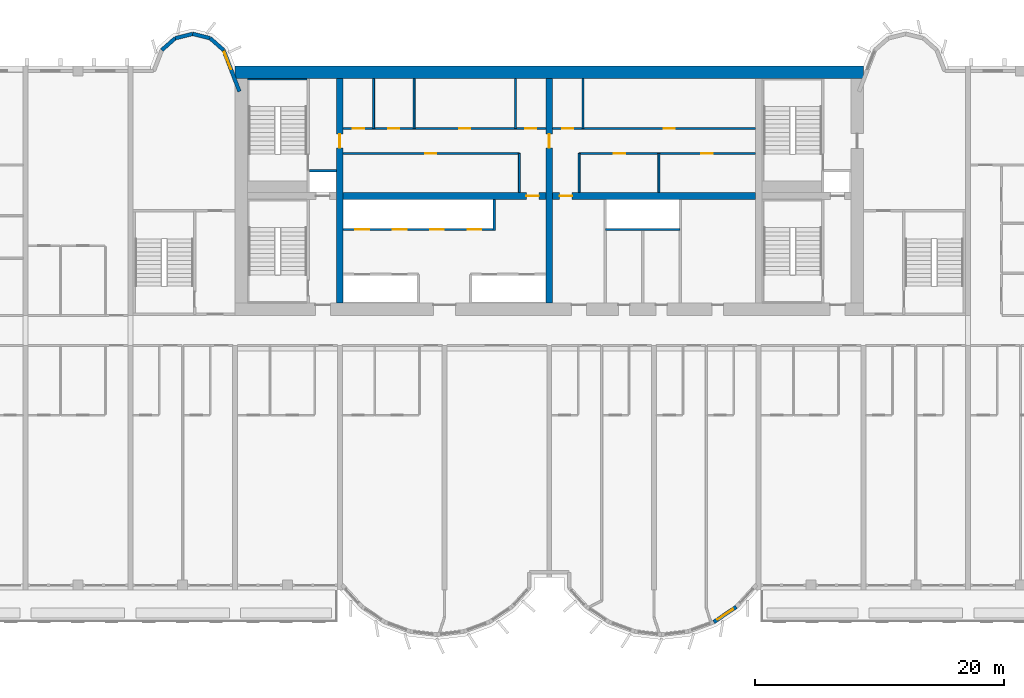
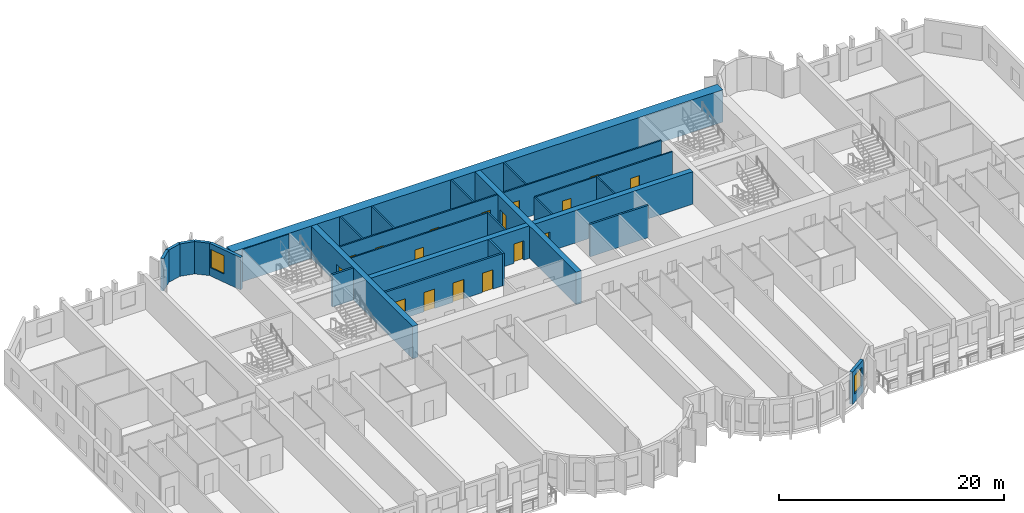
# One storey, part 7 of 14: 27 walls, 17 doors, 2 windows, 19 openings.
"""IFC4 building model written with IfcOpenShell, lengths in metres."""

from ifc_helpers import new_model, si_unit, direction, frame, frame_2d, origin, place, context, subcontext, project, spatial, rectangle, extrude, source, transform, mapped, material, layer, layer_set, type_object, element, fill, save


model = new_model("IFC4")

# Units and contexts
model_context = context("Model", 3, precision=1e-05, world=origin(), true_north=direction((0.0, 1.0)))
body_context = subcontext(model_context, "Body", "Model", "MODEL_VIEW")
ifc_project = project(units=[si_unit("LENGTHUNIT", "METRE"), si_unit("AREAUNIT", "SQUARE_METRE"), si_unit("VOLUMEUNIT", "CUBIC_METRE"), si_unit("PLANEANGLEUNIT", "RADIAN"), si_unit("MASSUNIT", "GRAM", prefix="KILO")], contexts=[model_context])

# Site, building, storey
site_placement = place(None, origin())
site = spatial("IfcSite", under=ifc_project, at=site_placement, CompositionType="ELEMENT")
building_placement = place(site_placement, origin())
building = spatial("IfcBuilding", under=site, at=building_placement, Name="Vanashikhar Sky Hotel", CompositionType="ELEMENT")
storey_placement = place(building_placement, frame((0.0, 0.0, 50.60009765625)))
storey = spatial("IfcBuildingStorey", under=building, at=storey_placement, Name="L11", CompositionType="ELEMENT", Elevation=50.60009765625)

# Wall
ifc_material_1 = material(Name="Concrete M80", Category="concrete")
ifc_layer_1 = layer(ifc_material_1, 1.0)
ifc_layer_set_1 = layer_set([ifc_layer_1], Name="RC core shell wall 1000 Concrete M80")
wall_type_1 = type_object("IfcWallType", Name="RC core shell wall 1000 Concrete M80", PredefinedType="SHEAR", material=ifc_layer_set_1)
shared_shape_1 = source(origin(), body_context, "Body", "SweptSolid", [
    extrude(rectangle(XDim=50.400146484375, YDim=1.0, at=frame_2d((25.2001953125, 0.0))), origin(), (0.0, 0.0, 1.0), 3.52001953125),
])
wall_1_placement = place(storey_placement, frame((25.199951171875, 41.5, 0.0), z_axis=(0.0, 0.0, 1.0), x_axis=(1.0, 0.0, 0.0)))
element("IfcWall", 1, at=wall_1_placement, inside=storey, type_object=wall_type_1, Name="KW-L11-KN", PredefinedType="SHEAR", context=body_context, shape_type="MappedRepresentation", body=[
    mapped(shared_shape_1, transform((0.0, 0.0, 0.0), scale=1.0)),
])

# Wall, opening, door
ifc_layer_2 = layer(ifc_material_1, 0.550048828125)
ifc_layer_set_2 = layer_set([ifc_layer_2], Name="RC core inner wall 550 Concrete M80")
wall_type_2 = type_object("IfcWallType", Name="RC core inner wall 550 Concrete M80", PredefinedType="SHEAR", material=ifc_layer_set_2)
shared_shape_2 = source(origin(), body_context, "Body", "SweptSolid", [
    extrude(rectangle(XDim=18.0, YDim=0.550048828125, at=frame_2d((9.0, 0.0))), origin(), (0.0, 0.0, 1.0), 3.52001953125),
])
wall_2_placement = place(storey_placement, frame((33.60009765625, 23.0, 0.0), z_axis=(0.0, 0.0, 1.0), x_axis=(0.0, 1.0, 0.0)))
wall_2 = element("IfcWall", 2, at=wall_2_placement, inside=storey, type_object=wall_type_2, Name="KW-L11-KX1", PredefinedType="SHEAR", context=body_context, shape_type="MappedRepresentation", body=[
    mapped(shared_shape_2, transform((0.0, 0.0, 0.0), scale=1.0)),
])
shared_shape_3 = source(origin(), body_context, "Body", "SweptSolid", [
    extrude(rectangle(XDim=1.10009765625, YDim=2.10009765625, at=frame_2d((0.550048828125, 1.050048828125))), frame((0.0, 0.28515625, 0.0), z_axis=(0.0, -1.0, 0.0), x_axis=(1.0, 0.0, 0.0)), (0.0, 0.0, 1.0), 0.570068359375),
])
opening_1_placement = place(wall_2_placement, frame((12.449951171875, 0.0, 0.0)))
opening_1 = element("IfcOpeningElement", 3, at=opening_1_placement, cuts=wall_2, Name="Opening DC-4-C", PredefinedType="OPENING", context=body_context, shape_type="MappedRepresentation", body=[
    mapped(shared_shape_3, transform((0.0, 0.0, 0.0), scale=1.0)),
])
ifc_material_2 = material(Name="Steel", Category="steel")
door_type_1 = type_object("IfcDoorType", Name="Service door 1100 FD60", OperationType="NOTDEFINED", PredefinedType="DOOR", material=ifc_material_2)
shared_shape_4 = source(origin(), body_context, "Body", "SweptSolid", [
    extrude(rectangle(XDim=1.10009765625, YDim=2.10009765625, at=frame_2d((0.550048828125, 1.050048828125))), frame((0.0, 0.02490234375, 0.0), z_axis=(0.0, -1.0, 0.0), x_axis=(1.0, 0.0, 0.0)), (0.0, 0.0, 1.0), 0.050048828125),
])
door_1_placement = place(opening_1_placement, origin())
door_1 = element("IfcDoor", 4, at=door_1_placement, inside=storey, type_object=door_type_1, Name="Service door 1100 FD60", OperationType="SINGLE_SWING_RIGHT", OverallHeight=2.10009765625, OverallWidth=1.10009765625, PredefinedType="DOOR", context=body_context, shape_type="MappedRepresentation", body=[
    mapped(shared_shape_4, transform((0.0, 0.0, 0.0), scale=1.0)),
])
fill(opening_1, door_1)

wall_3_placement = place(storey_placement, frame((50.39990234375, 23.0, 0.0), z_axis=(0.0, 0.0, 1.0), x_axis=(0.0, 1.0, 0.0)))
wall_3 = element("IfcWall", 5, at=wall_3_placement, inside=storey, type_object=wall_type_2, Name="KW-L11-KX2", PredefinedType="SHEAR", context=body_context, shape_type="MappedRepresentation", body=[
    mapped(shared_shape_2, transform((0.0, 0.0, 0.0), scale=1.0)),
])
opening_2_placement = place(wall_3_placement, frame((12.449951171875, 0.0, 0.0)))
opening_2 = element("IfcOpeningElement", 6, at=opening_2_placement, cuts=wall_3, Name="Opening DC-4-C", PredefinedType="OPENING", context=body_context, shape_type="MappedRepresentation", body=[
    mapped(shared_shape_3, transform((0.0, 0.0, 0.0), scale=1.0)),
])
door_2_placement = place(opening_2_placement, origin())
door_2 = element("IfcDoor", 7, at=door_2_placement, inside=storey, type_object=door_type_1, Name="Service door 1100 FD60", OperationType="SINGLE_SWING_LEFT", OverallHeight=2.10009765625, OverallWidth=1.10009765625, PredefinedType="DOOR", context=body_context, shape_type="MappedRepresentation", body=[
    mapped(shared_shape_4, transform((0.0, 0.0, 0.0), scale=1.0)),
])
fill(opening_2, door_2)

shared_shape_5 = source(origin(), body_context, "Body", "SweptSolid", [
    extrude(rectangle(XDim=16.25, YDim=0.550048828125, at=frame_2d((8.125, 0.0))), origin(), (0.0, 0.0, 1.0), 3.52001953125),
])
wall_4_placement = place(storey_placement, frame((33.875, 31.60009765625, 0.0), z_axis=(0.0, 0.0, 1.0), x_axis=(1.0, 0.0, 0.0)))
wall_4 = element("IfcWall", 8, at=wall_4_placement, inside=storey, type_object=wall_type_2, Name="KW-L11-KY2", PredefinedType="SHEAR", context=body_context, shape_type="MappedRepresentation", body=[
    mapped(shared_shape_5, transform((0.0, 0.0, 0.0), scale=1.0)),
])
shared_shape_6 = source(origin(), body_context, "Body", "SweptSolid", [
    extrude(rectangle(XDim=1.0, YDim=2.10009765625, at=frame_2d((0.5, 1.050048828125))), frame((0.0, 0.28515625, 0.0), z_axis=(0.0, -1.0, 0.0), x_axis=(1.0, 0.0, 0.0)), (0.0, 0.0, 1.0), 0.570068359375),
])
opening_3_placement = place(wall_4_placement, frame((14.68701171875, 0.0, 0.0)))
opening_3 = element("IfcOpeningElement", 9, at=opening_3_placement, cuts=wall_4, Name="Opening DC-4", PredefinedType="OPENING", context=body_context, shape_type="MappedRepresentation", body=[
    mapped(shared_shape_6, transform((0.0, 0.0, 0.0), scale=1.0)),
])
door_type_2 = type_object("IfcDoorType", Name="Service door 1000 FD60", OperationType="NOTDEFINED", PredefinedType="DOOR", material=ifc_material_2)
shared_shape_7 = source(origin(), body_context, "Body", "SweptSolid", [
    extrude(rectangle(XDim=1.0, YDim=2.10009765625, at=frame_2d((0.5, 1.050048828125))), frame((0.0, 0.02490234375, 0.0), z_axis=(0.0, -1.0, 0.0), x_axis=(1.0, 0.0, 0.0)), (0.0, 0.0, 1.0), 0.050048828125),
])
door_3_placement = place(opening_3_placement, origin())
door_3 = element("IfcDoor", 10, at=door_3_placement, inside=storey, type_object=door_type_2, Name="Service door 1000 FD60", OperationType="SINGLE_SWING_LEFT", OverallHeight=2.10009765625, OverallWidth=1.0, PredefinedType="DOOR", context=body_context, shape_type="MappedRepresentation", body=[
    mapped(shared_shape_7, transform((0.0, 0.0, 0.0), scale=1.0)),
])
fill(opening_3, door_3)

wall_5_placement = place(storey_placement, frame((50.675048828125, 31.60009765625, 0.0), z_axis=(0.0, 0.0, 1.0), x_axis=(1.0, 0.0, 0.0)))
wall_5 = element("IfcWall", 11, at=wall_5_placement, inside=storey, type_object=wall_type_2, Name="KW-L11-KY3", PredefinedType="SHEAR", context=body_context, shape_type="MappedRepresentation", body=[
    mapped(shared_shape_5, transform((0.0, 0.0, 0.0), scale=1.0)),
])
opening_4_placement = place(wall_5_placement, frame((0.56201171875, 0.0, 0.0)))
opening_4 = element("IfcOpeningElement", 12, at=opening_4_placement, cuts=wall_5, Name="Opening DC-4", PredefinedType="OPENING", context=body_context, shape_type="MappedRepresentation", body=[
    mapped(shared_shape_6, transform((0.0, 0.0, 0.0), scale=1.0)),
])
door_4_placement = place(opening_4_placement, origin())
door_4 = element("IfcDoor", 13, at=door_4_placement, inside=storey, type_object=door_type_2, Name="Service door 1000 FD60", OperationType="SINGLE_SWING_RIGHT", OverallHeight=2.10009765625, OverallWidth=1.0, PredefinedType="DOOR", context=body_context, shape_type="MappedRepresentation", body=[
    mapped(shared_shape_7, transform((0.0, 0.0, 0.0), scale=1.0)),
])
fill(opening_4, door_4)

# Wall, opening, window
ifc_material_3 = material(Name="Concrete M50", Category="concrete")
ifc_layer_3 = layer(ifc_material_3, 0.300048828125)
ifc_layer_set_3 = layer_set([ifc_layer_3], Name="Lobe wall 300")
wall_type_3 = type_object("IfcWallType", Name="Lobe wall 300", PredefinedType="SOLIDWALL", material=ifc_layer_set_3)
shared_shape_8 = source(origin(), body_context, "Body", "SweptSolid", [
    extrude(rectangle(XDim=2.17578125, YDim=0.300048828125, at=frame_2d((1.087890625, 0.0))), origin(), (0.0, 0.0, 1.0), 3.52001953125),
])
wall_6_placement = place(storey_placement, frame((63.59912109375, -2.58349609375, 0.0), z_axis=(0.0, 0.0, 1.0), x_axis=(0.829625727223, 0.558319937607, 0.0)))
wall_6 = element("IfcWall", 14, at=wall_6_placement, inside=storey, type_object=wall_type_3, Name="Lobe wall", PredefinedType="SOLIDWALL", context=body_context, shape_type="MappedRepresentation", body=[
    mapped(shared_shape_8, transform((0.0, 0.0, 0.0), scale=1.0)),
])
shared_shape_9 = source(origin(), body_context, "Body", "SweptSolid", [
    extrude(rectangle(XDim=1.5, YDim=2.0, at=frame_2d((0.75, 1.0))), frame((0.0, 0.16015625, 0.0), z_axis=(0.0, -1.0, 0.0), x_axis=(1.0, 0.0, 0.0)), (0.0, 0.0, 1.0), 0.320068359375),
])
opening_5_placement = place(wall_6_placement, frame((0.337890625, 0.0, 0.89990234375)))
opening_5 = element("IfcOpeningElement", 15, at=opening_5_placement, cuts=wall_6, Name="Opening WN-2", PredefinedType="OPENING", context=body_context, shape_type="MappedRepresentation", body=[
    mapped(shared_shape_9, transform((0.0, 0.0, 0.0), scale=1.0)),
])
ifc_material_4 = material(Name="Glass", Category="glass")
window_type = type_object("IfcWindowType", Name="Lobe window 1500 x 2000", PartitioningType="SINGLE_PANEL", PredefinedType="WINDOW", material=ifc_material_4)
shared_shape_10 = source(origin(), body_context, "Body", "SweptSolid", [
    extrude(rectangle(XDim=1.5, YDim=2.0, at=frame_2d((0.75, 1.0))), frame((0.0, 0.030029296875, 0.0), z_axis=(0.0, -1.0, 0.0), x_axis=(1.0, 0.0, 0.0)), (0.0, 0.0, 1.0), 0.06005859375),
])
window_1_placement = place(opening_5_placement, origin())
window_1 = element("IfcWindow", 16, at=window_1_placement, inside=storey, type_object=window_type, Name="Window WN-2", OverallHeight=2.0, OverallWidth=1.5, PartitioningType="SINGLE_PANEL", PredefinedType="WINDOW", context=body_context, shape_type="MappedRepresentation", body=[
    mapped(shared_shape_10, transform((0.0, 0.0, 0.0), scale=1.0)),
])
fill(opening_5, window_1)

shared_shape_11 = source(origin(), body_context, "Body", "SweptSolid", [
    extrude(rectangle(XDim=3.55908203125, YDim=0.300048828125, at=frame_2d((1.779541015625, 0.0))), origin(), (0.0, 0.0, 1.0), 3.52001953125),
])
wall_7_placement = place(storey_placement, frame((25.550048828125, 39.968505859375, 0.0), z_axis=(0.0, 0.0, 1.0), x_axis=(-0.35779745313, 0.933799219604, 0.0)))
wall_7 = element("IfcWall", 17, at=wall_7_placement, inside=storey, type_object=wall_type_3, Name="Lobe wall", PredefinedType="SOLIDWALL", context=body_context, shape_type="MappedRepresentation", body=[
    mapped(shared_shape_11, transform((0.0, 0.0, 0.0), scale=1.0)),
])
opening_6_placement = place(wall_7_placement, frame((1.9033203125, 0.0, 0.89990234375)))
opening_6 = element("IfcOpeningElement", 18, at=opening_6_placement, cuts=wall_7, Name="Opening WN-2", PredefinedType="OPENING", context=body_context, shape_type="MappedRepresentation", body=[
    mapped(shared_shape_9, transform((0.0, 0.0, 0.0), scale=1.0)),
])
window_2_placement = place(opening_6_placement, origin())
window_2 = element("IfcWindow", 19, at=window_2_placement, inside=storey, type_object=window_type, Name="Window WN-2", OverallHeight=2.0, OverallWidth=1.5, PartitioningType="SINGLE_PANEL", PredefinedType="WINDOW", context=body_context, shape_type="MappedRepresentation", body=[
    mapped(shared_shape_10, transform((0.0, 0.0, 0.0), scale=1.0)),
])
fill(opening_6, window_2)

# Walls
shared_shape_12 = source(origin(), body_context, "Body", "SweptSolid", [
    extrude(rectangle(XDim=1.440185546875, YDim=0.300048828125, at=frame_2d((0.72021484375, 0.0))), origin(), (0.0, 0.0, 1.0), 3.52001953125),
])
wall_8_placement = place(storey_placement, frame((24.276611328125, 43.2919921875, 0.0), z_axis=(0.0, 0.0, 1.0), x_axis=(-0.749649827867, 0.661834673902, 0.0)))
element("IfcWall", 20, at=wall_8_placement, inside=storey, type_object=wall_type_3, Name="Lobe wall", PredefinedType="SOLIDWALL", context=body_context, shape_type="MappedRepresentation", body=[
    mapped(shared_shape_12, transform((0.0, 0.0, 0.0), scale=1.0)),
])
shared_shape_13 = source(origin(), body_context, "Body", "SweptSolid", [
    extrude(rectangle(XDim=1.4384765625, YDim=0.300048828125, at=frame_2d((0.71923828125, 0.0))), origin(), (0.0, 0.0, 1.0), 3.52001953125),
])
wall_9_placement = place(storey_placement, frame((23.197021484375, 44.2451171875, 0.0), z_axis=(0.0, 0.0, 1.0), x_axis=(-0.971152283879, 0.238460146601, 0.0)))
element("IfcWall", 21, at=wall_9_placement, inside=storey, type_object=wall_type_3, Name="Lobe wall", PredefinedType="SOLIDWALL", context=body_context, shape_type="MappedRepresentation", body=[
    mapped(shared_shape_13, transform((0.0, 0.0, 0.0), scale=1.0)),
])
shared_shape_14 = source(origin(), body_context, "Body", "SweptSolid", [
    extrude(rectangle(XDim=1.438720703125, YDim=0.300048828125, at=frame_2d((0.71923828125, 0.0))), origin(), (0.0, 0.0, 1.0), 3.52001953125),
])
wall_10_placement = place(storey_placement, frame((21.800048828125, 44.588134765625, 0.0), z_axis=(0.0, 0.0, 1.0), x_axis=(-0.971161932466, -0.238420848351, 0.0)))
element("IfcWall", 22, at=wall_10_placement, inside=storey, type_object=wall_type_3, Name="Lobe wall", PredefinedType="SOLIDWALL", context=body_context, shape_type="MappedRepresentation", body=[
    mapped(shared_shape_14, transform((0.0, 0.0, 0.0), scale=1.0)),
])
shared_shape_15 = source(origin(), body_context, "Body", "SweptSolid", [
    extrude(rectangle(XDim=1.43994140625, YDim=0.300048828125, at=frame_2d((0.719970703125, 0.0))), origin(), (0.0, 0.0, 1.0), 3.52001953125),
])
wall_11_placement = place(storey_placement, frame((20.40283203125, 44.2451171875, 0.0), z_axis=(0.0, 0.0, 1.0), x_axis=(-0.74957555648, -0.661918790432, 0.0)))
element("IfcWall", 23, at=wall_11_placement, inside=storey, type_object=wall_type_3, Name="Lobe wall", PredefinedType="SOLIDWALL", context=body_context, shape_type="MappedRepresentation", body=[
    mapped(shared_shape_15, transform((0.0, 0.0, 0.0), scale=1.0)),
])
ifc_material_5 = material(Name="Concrete M40", Category="concrete")
ifc_layer_4 = layer(ifc_material_5, 0.199951171875)
ifc_layer_set_4 = layer_set([ifc_layer_4], Name="Shaft wall 200")
wall_type_4 = type_object("IfcWallType", Name="Shaft wall 200", PredefinedType="SOLIDWALL", material=ifc_layer_set_4)
shared_shape_16 = source(origin(), body_context, "Body", "SweptSolid", [
    extrude(rectangle(XDim=6.0, YDim=0.199951171875, at=frame_2d((3.0, 0.0))), origin(), (0.0, 0.0, 1.0), 3.52001953125),
])
wall_12_placement = place(storey_placement, frame((60.89990234375, 28.89990234375, 0.0), z_axis=(0.0, 0.0, 1.0), x_axis=(-1.0, 0.0, 0.0)))
element("IfcWall", 24, at=wall_12_placement, inside=storey, type_object=wall_type_4, Name="Shaft wall 200", PredefinedType="SOLIDWALL", context=body_context, shape_type="MappedRepresentation", body=[
    mapped(shared_shape_16, transform((0.0, 0.0, 0.0), scale=1.0)),
])
ifc_layer_5 = layer(ifc_material_3, 0.10009765625)
ifc_layer_set_5 = layer_set([ifc_layer_5], Name="Stair infill wall 100")
wall_type_5 = type_object("IfcWallType", Name="Stair infill wall 100", PredefinedType="SOLIDWALL", material=ifc_layer_set_5)
shared_shape_17 = source(origin(), body_context, "Body", "SweptSolid", [
    extrude(rectangle(XDim=4.75, YDim=0.10009765625, at=frame_2d((2.375, 0.0))), origin(), (0.0, 0.0, 1.0), 3.52001953125),
])
wall_13_placement = place(storey_placement, frame((26.199951171875, 40.949951171875, 0.0), z_axis=(0.0, 0.0, 1.0), x_axis=(1.0, 0.0, 0.0)))
element("IfcWall", 25, at=wall_13_placement, inside=storey, type_object=wall_type_5, Name="Stair infill wall 100", PredefinedType="SOLIDWALL", context=body_context, shape_type="MappedRepresentation", body=[
    mapped(shared_shape_17, transform((0.0, 0.0, 0.0), scale=1.0)),
])

# Wall, openings, doors
shared_shape_18 = source(origin(), body_context, "Body", "SweptSolid", [
    extrude(rectangle(XDim=12.02490234375, YDim=0.199951171875, at=frame_2d((6.012451171875, 0.0))), origin(), (0.0, 0.0, 1.0), 3.52001953125),
])
wall_14_placement = place(storey_placement, frame((33.875, 28.89990234375, 0.0), z_axis=(0.0, 0.0, 1.0), x_axis=(1.0, 0.0, 0.0)))
wall_14 = element("IfcWall", 26, at=wall_14_placement, inside=storey, type_object=wall_type_4, Name="Shaft wall 200", PredefinedType="SOLIDWALL", context=body_context, shape_type="MappedRepresentation", body=[
    mapped(shared_shape_18, transform((0.0, 0.0, 0.0), scale=1.0)),
])
shared_shape_19 = source(origin(), body_context, "Body", "SweptSolid", [
    extrude(rectangle(XDim=1.10009765625, YDim=2.10009765625, at=frame_2d((0.550048828125, 1.050048828125))), frame((0.0, 0.10986328125, 0.0), z_axis=(0.0, -1.0, 0.0), x_axis=(1.0, 0.0, 0.0)), (0.0, 0.0, 1.0), 0.219970703125),
])
opening_7_placement = place(wall_14_placement, frame((0.97509765625, 0.0, 0.0)))
opening_7 = element("IfcOpeningElement", 27, at=opening_7_placement, cuts=wall_14, Name="Opening LD", PredefinedType="OPENING", context=body_context, shape_type="MappedRepresentation", body=[
    mapped(shared_shape_19, transform((0.0, 0.0, 0.0), scale=1.0)),
])
opening_8_placement = place(wall_14_placement, frame((3.97509765625, 0.0, 0.0)))
opening_8 = element("IfcOpeningElement", 28, at=opening_8_placement, cuts=wall_14, Name="Opening LD", PredefinedType="OPENING", context=body_context, shape_type="MappedRepresentation", body=[
    mapped(shared_shape_19, transform((0.0, 0.0, 0.0), scale=1.0)),
])
opening_9_placement = place(wall_14_placement, frame((6.97509765625, 0.0, 0.0)))
opening_9 = element("IfcOpeningElement", 29, at=opening_9_placement, cuts=wall_14, Name="Opening LD", PredefinedType="OPENING", context=body_context, shape_type="MappedRepresentation", body=[
    mapped(shared_shape_19, transform((0.0, 0.0, 0.0), scale=1.0)),
])
opening_10_placement = place(wall_14_placement, frame((9.97509765625, 0.0, 0.0)))
opening_10 = element("IfcOpeningElement", 30, at=opening_10_placement, cuts=wall_14, Name="Opening LD", PredefinedType="OPENING", context=body_context, shape_type="MappedRepresentation", body=[
    mapped(shared_shape_19, transform((0.0, 0.0, 0.0), scale=1.0)),
])
ifc_material_6 = material(Name="Stainless steel", Category="steel")
door_type_3 = type_object("IfcDoorType", Name="Lift landing door 1100", OperationType="NOTDEFINED", PredefinedType="DOOR", material=ifc_material_6)
door_5_placement = place(opening_7_placement, origin())
door_5 = element("IfcDoor", 31, at=door_5_placement, inside=storey, type_object=door_type_3, Name="Lift landing door 1100", OperationType="SLIDING_TO_LEFT", OverallHeight=2.10009765625, OverallWidth=1.10009765625, PredefinedType="DOOR", context=body_context, shape_type="MappedRepresentation", body=[
    mapped(shared_shape_4, transform((0.0, 0.0, 0.0), scale=1.0)),
])
fill(opening_7, door_5)
door_6_placement = place(opening_8_placement, origin())
door_6 = element("IfcDoor", 32, at=door_6_placement, inside=storey, type_object=door_type_3, Name="Lift landing door 1100", OperationType="SLIDING_TO_RIGHT", OverallHeight=2.10009765625, OverallWidth=1.10009765625, PredefinedType="DOOR", context=body_context, shape_type="MappedRepresentation", body=[
    mapped(shared_shape_4, transform((0.0, 0.0, 0.0), scale=1.0)),
])
fill(opening_8, door_6)
door_7_placement = place(opening_9_placement, origin())
door_7 = element("IfcDoor", 33, at=door_7_placement, inside=storey, type_object=door_type_3, Name="Lift landing door 1100", OperationType="SLIDING_TO_LEFT", OverallHeight=2.10009765625, OverallWidth=1.10009765625, PredefinedType="DOOR", context=body_context, shape_type="MappedRepresentation", body=[
    mapped(shared_shape_4, transform((0.0, 0.0, 0.0), scale=1.0)),
])
fill(opening_9, door_7)
door_8_placement = place(opening_10_placement, origin())
door_8 = element("IfcDoor", 34, at=door_8_placement, inside=storey, type_object=door_type_3, Name="Lift landing door 1100", OperationType="SLIDING_TO_RIGHT", OverallHeight=2.10009765625, OverallWidth=1.10009765625, PredefinedType="DOOR", context=body_context, shape_type="MappedRepresentation", body=[
    mapped(shared_shape_4, transform((0.0, 0.0, 0.0), scale=1.0)),
])
fill(opening_10, door_8)

# Walls
shared_shape_20 = source(origin(), body_context, "Body", "SweptSolid", [
    extrude(rectangle(XDim=2.52490234375, YDim=0.199951171875, at=frame_2d((1.262451171875, 0.0))), origin(), (0.0, 0.0, 1.0), 3.52001953125),
])
wall_15_placement = place(storey_placement, frame((46.0, 28.800048828125, 0.0), z_axis=(0.0, 0.0, 1.0), x_axis=(0.0, 1.0, 0.0)))
element("IfcWall", 35, at=wall_15_placement, inside=storey, type_object=wall_type_4, Name="Shaft wall 200", PredefinedType="SOLIDWALL", context=body_context, shape_type="MappedRepresentation", body=[
    mapped(shared_shape_20, transform((0.0, 0.0, 0.0), scale=1.0)),
])
ifc_material_7 = material(Name="Gypsum board partition")
ifc_layer_6 = layer(ifc_material_7, 0.14990234375)
ifc_layer_set_6 = layer_set([ifc_layer_6], Name="Service partition 150")
wall_type_6 = type_object("IfcWallType", Name="Service partition 150", PredefinedType="PARTITIONING", material=ifc_layer_set_6)
shared_shape_21 = source(origin(), body_context, "Body", "SweptSolid", [
    extrude(rectangle(XDim=3.125, YDim=0.14990234375, at=frame_2d((1.5625, 0.0))), origin(), (0.0, 0.0, 1.0), 3.52001953125),
])
for number, where, z_axis, x_axis, name in (
    (36, (48.0, 31.875, 0.0), (0.0, 0.0, 1.0), (0.0, 1.0, 0.0), "Service partition 150"),
    (37, (52.800048828125, 31.875, 0.0), (0.0, 0.0, 1.0), (0.0, 1.0, 0.0), "Service partition 150"),
    (38, (59.197021484375, 31.875, 0.0), (0.0, 0.0, 1.0), (0.0, 1.0, 0.0), "Service partition 150"),
):
    element("IfcWall", number, at=place(storey_placement, frame(where, z_axis=z_axis, x_axis=x_axis)), inside=storey, type_object=wall_type_6, Name=name, PredefinedType="PARTITIONING", context=body_context, shape_type="MappedRepresentation", body=[
        mapped(shared_shape_21, transform((0.0, 0.0, 0.0), scale=1.0)),
    ])

# Wall, opening, door
shared_shape_22 = source(origin(), body_context, "Body", "SweptSolid", [
    extrude(rectangle(XDim=14.125, YDim=0.14990234375, at=frame_2d((7.0625, 0.0))), origin(), (0.0, 0.0, 1.0), 3.52001953125),
])
wall_16_placement = place(storey_placement, frame((33.875, 35.0, 0.0), z_axis=(0.0, 0.0, 1.0), x_axis=(1.0, 0.0, 0.0)))
wall_16 = element("IfcWall", 39, at=wall_16_placement, inside=storey, type_object=wall_type_6, Name="Service partition 150", PredefinedType="PARTITIONING", context=body_context, shape_type="MappedRepresentation", body=[
    mapped(shared_shape_22, transform((0.0, 0.0, 0.0), scale=1.0)),
])
shared_shape_23 = source(origin(), body_context, "Body", "SweptSolid", [
    extrude(rectangle(XDim=0.89990234375, YDim=2.10009765625, at=frame_2d((0.449951171875, 1.050048828125))), frame((0.0, 0.0849609375, 0.0), z_axis=(0.0, -1.0, 0.0), x_axis=(1.0, 0.0, 0.0)), (0.0, 0.0, 1.0), 0.169921875),
])
opening_11_placement = place(wall_16_placement, frame((6.574951171875, 0.0, 0.0)))
opening_11 = element("IfcOpeningElement", 40, at=opening_11_placement, cuts=wall_16, Name="Opening DC-4-A", PredefinedType="OPENING", context=body_context, shape_type="MappedRepresentation", body=[
    mapped(shared_shape_23, transform((0.0, 0.0, 0.0), scale=1.0)),
])
door_type_4 = type_object("IfcDoorType", Name="Service door 900 FD60", OperationType="NOTDEFINED", PredefinedType="DOOR", material=ifc_material_2)
shared_shape_24 = source(origin(), body_context, "Body", "SweptSolid", [
    extrude(rectangle(XDim=0.89990234375, YDim=2.10009765625, at=frame_2d((0.449951171875, 1.050048828125))), frame((0.0, 0.02490234375, 0.0), z_axis=(0.0, -1.0, 0.0), x_axis=(1.0, 0.0, 0.0)), (0.0, 0.0, 1.0), 0.050048828125),
])
door_9_placement = place(opening_11_placement, origin())
door_9 = element("IfcDoor", 41, at=door_9_placement, inside=storey, type_object=door_type_4, Name="Service door 900 FD60", OperationType="SINGLE_SWING_RIGHT", OverallHeight=2.10009765625, OverallWidth=0.89990234375, PredefinedType="DOOR", context=body_context, shape_type="MappedRepresentation", body=[
    mapped(shared_shape_24, transform((0.0, 0.0, 0.0), scale=1.0)),
])
fill(opening_11, door_9)

# Wall, openings, doors
wall_17_placement = place(storey_placement, frame((66.925048828125, 35.0, 0.0), z_axis=(0.0, 0.0, 1.0), x_axis=(-1.0, 0.0, 0.0)))
wall_17 = element("IfcWall", 42, at=wall_17_placement, inside=storey, type_object=wall_type_6, Name="Service partition 150", PredefinedType="PARTITIONING", context=body_context, shape_type="MappedRepresentation", body=[
    mapped(shared_shape_22, transform((0.0, 0.0, 0.0), scale=1.0)),
])
opening_12_placement = place(wall_17_placement, frame((3.4140625, 0.0, 0.0)))
opening_12 = element("IfcOpeningElement", 43, at=opening_12_placement, cuts=wall_17, Name="Opening DC-4-A", PredefinedType="OPENING", context=body_context, shape_type="MappedRepresentation", body=[
    mapped(shared_shape_23, transform((0.0, 0.0, 0.0), scale=1.0)),
])
opening_13_placement = place(wall_17_placement, frame((10.43896484375, 0.0, 0.0)))
opening_13 = element("IfcOpeningElement", 44, at=opening_13_placement, cuts=wall_17, Name="Opening DC-4-A", PredefinedType="OPENING", context=body_context, shape_type="MappedRepresentation", body=[
    mapped(shared_shape_23, transform((0.0, 0.0, 0.0), scale=1.0)),
])
door_10_placement = place(opening_12_placement, origin())
door_10 = element("IfcDoor", 45, at=door_10_placement, inside=storey, type_object=door_type_4, Name="Service door 900 FD60", OperationType="SINGLE_SWING_RIGHT", OverallHeight=2.10009765625, OverallWidth=0.89990234375, PredefinedType="DOOR", context=body_context, shape_type="MappedRepresentation", body=[
    mapped(shared_shape_24, transform((0.0, 0.0, 0.0), scale=1.0)),
])
fill(opening_12, door_10)
door_11_placement = place(opening_13_placement, origin())
door_11 = element("IfcDoor", 46, at=door_11_placement, inside=storey, type_object=door_type_4, Name="Service door 900 FD60", OperationType="SINGLE_SWING_RIGHT", OverallHeight=2.10009765625, OverallWidth=0.89990234375, PredefinedType="DOOR", context=body_context, shape_type="MappedRepresentation", body=[
    mapped(shared_shape_24, transform((0.0, 0.0, 0.0), scale=1.0)),
])
fill(opening_13, door_11)

shared_shape_25 = source(origin(), body_context, "Body", "SweptSolid", [
    extrude(rectangle(XDim=16.25, YDim=0.14990234375, at=frame_2d((8.125, 0.0))), origin(), (0.0, 0.0, 1.0), 3.52001953125),
])
wall_18_placement = place(storey_placement, frame((33.875, 37.0, 0.0), z_axis=(0.0, 0.0, 1.0), x_axis=(1.0, 0.0, 0.0)))
wall_18 = element("IfcWall", 47, at=wall_18_placement, inside=storey, type_object=wall_type_6, Name="Service partition 150", PredefinedType="PARTITIONING", context=body_context, shape_type="MappedRepresentation", body=[
    mapped(shared_shape_25, transform((0.0, 0.0, 0.0), scale=1.0)),
])
opening_14_placement = place(wall_18_placement, frame((0.76904296875, 0.0, 0.0)))
opening_14 = element("IfcOpeningElement", 48, at=opening_14_placement, cuts=wall_18, Name="Opening DC-4-A", PredefinedType="OPENING", context=body_context, shape_type="MappedRepresentation", body=[
    mapped(shared_shape_23, transform((0.0, 0.0, 0.0), scale=1.0)),
])
opening_15_placement = place(wall_18_placement, frame((3.613037109375, 0.0, 0.0)))
opening_15 = element("IfcOpeningElement", 49, at=opening_15_placement, cuts=wall_18, Name="Opening DC-4-A", PredefinedType="OPENING", context=body_context, shape_type="MappedRepresentation", body=[
    mapped(shared_shape_23, transform((0.0, 0.0, 0.0), scale=1.0)),
])
opening_16_placement = place(wall_18_placement, frame((9.300048828125, 0.0, 0.0)))
opening_16 = element("IfcOpeningElement", 50, at=opening_16_placement, cuts=wall_18, Name="Opening DC-4-A", PredefinedType="OPENING", context=body_context, shape_type="MappedRepresentation", body=[
    mapped(shared_shape_23, transform((0.0, 0.0, 0.0), scale=1.0)),
])
opening_17_placement = place(wall_18_placement, frame((14.5810546875, 0.0, 0.0)))
opening_17 = element("IfcOpeningElement", 51, at=opening_17_placement, cuts=wall_18, Name="Opening DC-4-A", PredefinedType="OPENING", context=body_context, shape_type="MappedRepresentation", body=[
    mapped(shared_shape_23, transform((0.0, 0.0, 0.0), scale=1.0)),
])
door_12_placement = place(opening_14_placement, origin())
door_12 = element("IfcDoor", 52, at=door_12_placement, inside=storey, type_object=door_type_4, Name="Service door 900 FD60", OperationType="SINGLE_SWING_LEFT", OverallHeight=2.10009765625, OverallWidth=0.89990234375, PredefinedType="DOOR", context=body_context, shape_type="MappedRepresentation", body=[
    mapped(shared_shape_24, transform((0.0, 0.0, 0.0), scale=1.0)),
])
fill(opening_14, door_12)
door_13_placement = place(opening_15_placement, origin())
door_13 = element("IfcDoor", 53, at=door_13_placement, inside=storey, type_object=door_type_4, Name="Service door 900 FD60", OperationType="SINGLE_SWING_RIGHT", OverallHeight=2.10009765625, OverallWidth=0.89990234375, PredefinedType="DOOR", context=body_context, shape_type="MappedRepresentation", body=[
    mapped(shared_shape_24, transform((0.0, 0.0, 0.0), scale=1.0)),
])
fill(opening_15, door_13)
door_14_placement = place(opening_16_placement, origin())
door_14 = element("IfcDoor", 54, at=door_14_placement, inside=storey, type_object=door_type_4, Name="Service door 900 FD60", OperationType="SINGLE_SWING_RIGHT", OverallHeight=2.10009765625, OverallWidth=0.89990234375, PredefinedType="DOOR", context=body_context, shape_type="MappedRepresentation", body=[
    mapped(shared_shape_24, transform((0.0, 0.0, 0.0), scale=1.0)),
])
fill(opening_16, door_14)
door_15_placement = place(opening_17_placement, origin())
door_15 = element("IfcDoor", 55, at=door_15_placement, inside=storey, type_object=door_type_4, Name="Service door 900 FD60", OperationType="SINGLE_SWING_RIGHT", OverallHeight=2.10009765625, OverallWidth=0.89990234375, PredefinedType="DOOR", context=body_context, shape_type="MappedRepresentation", body=[
    mapped(shared_shape_24, transform((0.0, 0.0, 0.0), scale=1.0)),
])
fill(opening_17, door_15)

wall_19_placement = place(storey_placement, frame((66.925048828125, 37.0, 0.0), z_axis=(0.0, 0.0, 1.0), x_axis=(-1.0, 0.0, 0.0)))
wall_19 = element("IfcWall", 56, at=wall_19_placement, inside=storey, type_object=wall_type_6, Name="Service partition 150", PredefinedType="PARTITIONING", context=body_context, shape_type="MappedRepresentation", body=[
    mapped(shared_shape_25, transform((0.0, 0.0, 0.0), scale=1.0)),
])
opening_18_placement = place(wall_19_placement, frame((6.4560546875, 0.0, 0.0)))
opening_18 = element("IfcOpeningElement", 57, at=opening_18_placement, cuts=wall_19, Name="Opening DC-4-A", PredefinedType="OPENING", context=body_context, shape_type="MappedRepresentation", body=[
    mapped(shared_shape_23, transform((0.0, 0.0, 0.0), scale=1.0)),
])
opening_19_placement = place(wall_19_placement, frame((14.5810546875, 0.0, 0.0)))
opening_19 = element("IfcOpeningElement", 58, at=opening_19_placement, cuts=wall_19, Name="Opening DC-4-A", PredefinedType="OPENING", context=body_context, shape_type="MappedRepresentation", body=[
    mapped(shared_shape_23, transform((0.0, 0.0, 0.0), scale=1.0)),
])
door_16_placement = place(opening_18_placement, origin())
door_16 = element("IfcDoor", 59, at=door_16_placement, inside=storey, type_object=door_type_4, Name="Service door 900 FD60", OperationType="SINGLE_SWING_LEFT", OverallHeight=2.10009765625, OverallWidth=0.89990234375, PredefinedType="DOOR", context=body_context, shape_type="MappedRepresentation", body=[
    mapped(shared_shape_24, transform((0.0, 0.0, 0.0), scale=1.0)),
])
fill(opening_18, door_16)
door_17_placement = place(opening_19_placement, origin())
door_17 = element("IfcDoor", 60, at=door_17_placement, inside=storey, type_object=door_type_4, Name="Service door 900 FD60", OperationType="SINGLE_SWING_LEFT", OverallHeight=2.10009765625, OverallWidth=0.89990234375, PredefinedType="DOOR", context=body_context, shape_type="MappedRepresentation", body=[
    mapped(shared_shape_24, transform((0.0, 0.0, 0.0), scale=1.0)),
])
fill(opening_19, door_17)

# Walls
shared_shape_26 = source(origin(), body_context, "Body", "SweptSolid", [
    extrude(rectangle(XDim=4.0, YDim=0.14990234375, at=frame_2d((2.0, 0.0))), origin(), (0.0, 0.0, 1.0), 3.52001953125),
])
for number, where, z_axis, x_axis, name in (
    (61, (36.31201171875, 37.0, 0.0), (0.0, 0.0, 1.0), (0.0, 1.0, 0.0), "Service partition 150"),
    (62, (39.56201171875, 37.0, 0.0), (0.0, 0.0, 1.0), (0.0, 1.0, 0.0), "Service partition 150"),
    (63, (47.68798828125, 37.0, 0.0), (0.0, 0.0, 1.0), (0.0, 1.0, 0.0), "Service partition 150"),
    (64, (53.112060546875, 37.0, 0.0), (0.0, 0.0, 1.0), (0.0, 1.0, 0.0), "Service partition 150"),
):
    element("IfcWall", number, at=place(storey_placement, frame(where, z_axis=z_axis, x_axis=x_axis)), inside=storey, type_object=wall_type_6, Name=name, PredefinedType="PARTITIONING", context=body_context, shape_type="MappedRepresentation", body=[
        mapped(shared_shape_26, transform((0.0, 0.0, 0.0), scale=1.0)),
    ])
shared_shape_27 = source(origin(), body_context, "Body", "SweptSolid", [
    extrude(rectangle(XDim=2.175048828125, YDim=0.199951171875, at=frame_2d((1.08740234375, 0.0))), origin(), (0.0, 0.0, 1.0), 3.52001953125),
])
wall_20_placement = place(storey_placement, frame((31.14990234375, 33.60009765625, 0.0), z_axis=(0.0, 0.0, 1.0), x_axis=(1.0, 0.0, 0.0)))
element("IfcWall", 65, at=wall_20_placement, inside=storey, type_object=wall_type_4, Name="Shaft wall 200", PredefinedType="SOLIDWALL", context=body_context, shape_type="MappedRepresentation", body=[
    mapped(shared_shape_27, transform((0.0, 0.0, 0.0), scale=1.0)),
])

save(model, "model.ifc")
